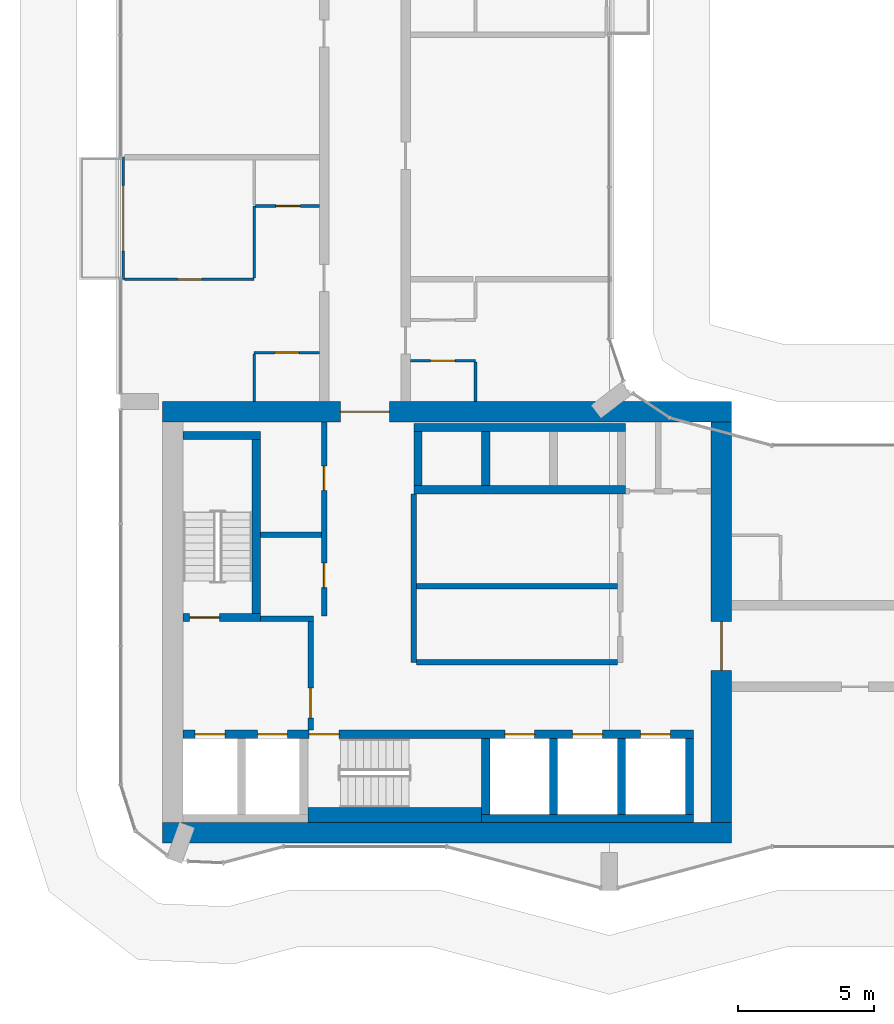
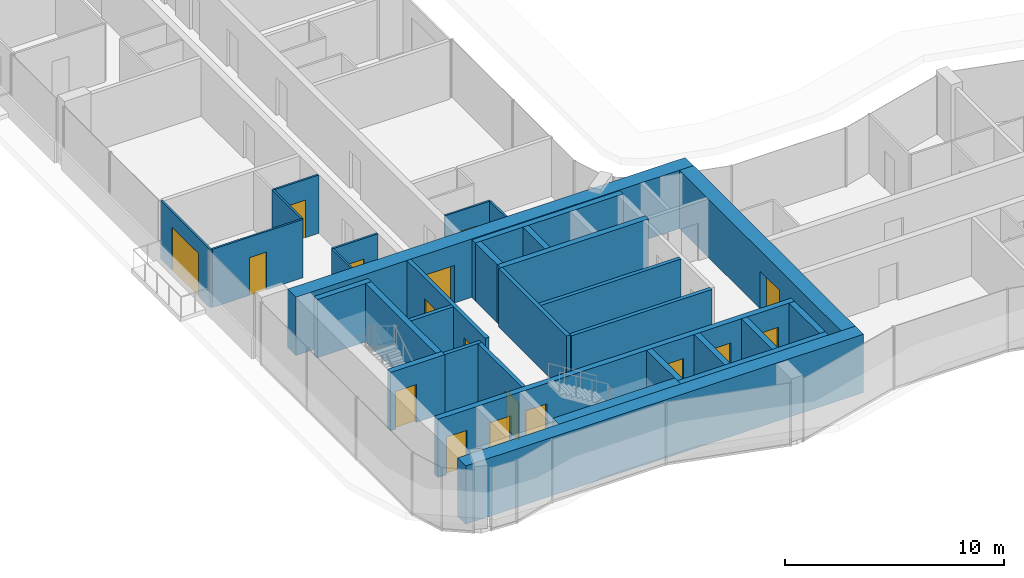
# One storey, part 14 of 24: 32 walls, 17 doors, 17 openings.
"""IFC4 building model written with IfcOpenShell, lengths in metres."""

from ifc_helpers import new_model, si_unit, direction, frame, frame_2d, origin, place, context, subcontext, project, spatial, rectangle, extrude, material, layer, layer_set, type_object, element, fill, save


model = new_model("IFC4")

# Units and contexts
model_context = context("Model", 3, precision=1e-05, world=origin(), true_north=direction((0.0, 1.0)))
body_context = subcontext(model_context, "Body", "Model", "MODEL_VIEW")
ifc_project = project(units=[si_unit("LENGTHUNIT", "METRE"), si_unit("AREAUNIT", "SQUARE_METRE"), si_unit("VOLUMEUNIT", "CUBIC_METRE"), si_unit("PLANEANGLEUNIT", "RADIAN"), si_unit("MASSUNIT", "GRAM", prefix="KILO")], contexts=[model_context])

# Site, building, storey
site_placement = place(None, origin())
site = spatial("IfcSite", under=ifc_project, at=site_placement, CompositionType="ELEMENT")
building_placement = place(site_placement, origin())
building = spatial("IfcBuilding", under=site, at=building_placement, Name="Plateau Cross Towers", CompositionType="ELEMENT")
storey_placement = place(building_placement, frame((0.0, 0.0, 30.300048828125)))
storey = spatial("IfcBuildingStorey", under=building, at=storey_placement, Name="L06", CompositionType="ELEMENT", Elevation=30.300048828125)

# Wall, opening, door
ifc_material_1 = material(Name="Aluminium framed glazing", Category="aluminium")
ifc_layer_1 = layer(ifc_material_1, 0.10009765625)
ifc_layer_set_1 = layer_set([ifc_layer_1], Name="Aluminium framed glazing")
wall_type_1 = type_object("IfcWallType", Name="Balcony screen wall 100", PredefinedType="STANDARD", material=ifc_layer_set_1)
wall_1_placement = place(storey_placement, frame((0.10009765625, 22.5, 0.0), z_axis=(0.0, 0.0, 1.0), x_axis=(0.0, 1.0, 0.0)))
wall_1 = element("IfcWall", 1, at=wall_1_placement, inside=storey, type_object=wall_type_1, Name="Balcony screen wall A-BAL-L06-01", PredefinedType="STANDARD", context=body_context, shape_type="SweptSolid", body=[
    extrude(rectangle(XDim=4.5, YDim=0.10009765625, at=frame_2d((2.25, 0.0))), origin(), (0.0, 0.0, 1.0), 3.25),
])
opening_1_placement = place(wall_1_placement, frame((1.050048828125, 0.0, 0.0)))
opening_1 = element("IfcOpeningElement", 2, at=opening_1_placement, cuts=wall_1, Name="Opening D-B24", PredefinedType="OPENING", context=body_context, shape_type="SweptSolid", body=[
    extrude(rectangle(XDim=2.39990234375, YDim=2.39990234375, at=frame_2d((1.199951171875, 1.199951171875))), frame((0.0, 0.06005859375, 0.0), z_axis=(0.0, -1.0, 0.0), x_axis=(1.0, 0.0, 0.0)), (0.0, 0.0, 1.0), 0.1201171875),
])
ifc_material_2 = material(Name="Aluminium frame, double glazing", Category="aluminium")
door_type_1 = type_object("IfcDoorType", Name="Balcony sliding door 2400", OperationType="NOTDEFINED", PredefinedType="DOOR", material=ifc_material_2)
door_1_placement = place(opening_1_placement, origin())
door_1 = element("IfcDoor", 3, at=door_1_placement, inside=storey, type_object=door_type_1, Name="Balcony door A-BAL-L06-01", OperationType="SINGLE_SWING_LEFT", OverallHeight=2.39990234375, OverallWidth=2.39990234375, PredefinedType="DOOR", context=body_context, shape_type="SweptSolid", body=[
    extrude(rectangle(XDim=2.39990234375, YDim=2.39990234375, at=frame_2d((1.199951171875, 1.199951171875))), frame((0.0, 0.02490234375, 0.0), z_axis=(0.0, -1.0, 0.0), x_axis=(1.0, 0.0, 0.0)), (0.0, 0.0, 1.0), 0.050048828125),
])
fill(opening_1, door_1)

ifc_material_3 = material(Name="Concrete block, plastered both sides", Category="concrete")
ifc_layer_2 = layer(ifc_material_3, 0.199951171875)
ifc_layer_set_2 = layer_set([ifc_layer_2], Name="Concrete block, plastered both sides")
wall_type_2 = type_object("IfcWallType", Name="Core partition 200", PredefinedType="PARTITIONING", material=ifc_layer_set_2)
wall_2_placement = place(storey_placement, frame((7.0, 5.89990234375, 0.0), z_axis=(0.0, 0.0, 1.0), x_axis=(0.0, 1.0, 0.0)))
wall_2 = element("IfcWall", 4, at=wall_2_placement, inside=storey, type_object=wall_type_2, Name="Core partition", PredefinedType="PARTITIONING", context=body_context, shape_type="SweptSolid", body=[
    extrude(rectangle(XDim=4.0, YDim=0.199951171875, at=frame_2d((2.0, 0.0))), origin(), (0.0, 0.0, 1.0), 3.25),
])
opening_2_placement = place(wall_2_placement, frame((0.449951171875, 0.0, 0.0)))
opening_2 = element("IfcOpeningElement", 5, at=opening_2_placement, cuts=wall_2, Name="Opening FFD", PredefinedType="OPENING", context=body_context, shape_type="SweptSolid", body=[
    extrude(rectangle(XDim=1.10009765625, YDim=2.10009765625, at=frame_2d((0.550048828125, 1.050048828125))), frame((0.0, 0.10986328125, 0.0), z_axis=(0.0, -1.0, 0.0), x_axis=(1.0, 0.0, 0.0)), (0.0, 0.0, 1.0), 0.219970703125),
])
ifc_material_4 = material(Name="Steel, fire-resisting leaf", Category="steel")
door_type_2 = type_object("IfcDoorType", Name="Firefighting lobby door 1100", OperationType="NOTDEFINED", PredefinedType="DOOR", material=ifc_material_4)
door_2_placement = place(opening_2_placement, origin())
door_2 = element("IfcDoor", 6, at=door_2_placement, inside=storey, type_object=door_type_2, Name="Firefighting lobby door FFD", OperationType="SINGLE_SWING_LEFT", OverallHeight=2.10009765625, OverallWidth=1.10009765625, PredefinedType="DOOR", context=body_context, shape_type="SweptSolid", body=[
    extrude(rectangle(XDim=1.10009765625, YDim=2.10009765625, at=frame_2d((0.550048828125, 1.050048828125))), frame((0.0, 0.02490234375, 0.0), z_axis=(0.0, -1.0, 0.0), x_axis=(1.0, 0.0, 0.0)), (0.0, 0.0, 1.0), 0.050048828125),
])
fill(opening_2, door_2)

# Walls
wall_3_placement = place(storey_placement, frame((5.14990234375, 10.0, 0.0), z_axis=(0.0, 0.0, 1.0), x_axis=(1.0, 0.0, 0.0)))
element("IfcWall", 7, at=wall_3_placement, inside=storey, type_object=wall_type_2, Name="Core partition", PredefinedType="PARTITIONING", context=body_context, shape_type="SweptSolid", body=[
    extrude(rectangle(XDim=1.9501953125, YDim=0.199951171875, at=frame_2d((0.97509765625, 0.0))), origin(), (0.0, 0.0, 1.0), 3.25),
])
wall_4_placement = place(storey_placement, frame((10.800048828125, 8.39990234375, 0.0), z_axis=(0.0, 0.0, 1.0), x_axis=(0.0, 1.0, 0.0)))
element("IfcWall", 8, at=wall_4_placement, inside=storey, type_object=wall_type_2, Name="Core partition", PredefinedType="PARTITIONING", context=body_context, shape_type="SweptSolid", body=[
    extrude(rectangle(XDim=6.2001953125, YDim=0.199951171875, at=frame_2d((3.10009765625, 0.0))), origin(), (0.0, 0.0, 1.0), 3.25),
])
for number, where, z_axis, x_axis, name in (
    (9, (10.89990234375, 8.39990234375, 0.0), (0.0, 0.0, 1.0), (1.0, 0.0, 0.0), "Core partition"),
    (10, (10.89990234375, 11.199951171875, 0.0), (0.0, 0.0, 1.0), (1.0, 0.0, 0.0), "Core partition"),
):
    element("IfcWall", number, at=place(storey_placement, frame(where, z_axis=z_axis, x_axis=x_axis)), inside=storey, type_object=wall_type_2, Name=name, PredefinedType="PARTITIONING", context=body_context, shape_type="SweptSolid", body=[
        extrude(rectangle(XDim=7.400146484375, YDim=0.199951171875, at=frame_2d((3.7001953125, 0.0))), origin(), (0.0, 0.0, 1.0), 3.25),
    ])

# Wall, openings, doors
wall_5_placement = place(storey_placement, frame((7.5, 10.10009765625, 0.0), z_axis=(0.0, 0.0, 1.0), x_axis=(0.0, 1.0, 0.0)))
wall_5 = element("IfcWall", 11, at=wall_5_placement, inside=storey, type_object=wall_type_2, Name="Core partition", PredefinedType="PARTITIONING", context=body_context, shape_type="SweptSolid", body=[
    extrude(rectangle(XDim=7.14990234375, YDim=0.199951171875, at=frame_2d((3.574951171875, 0.0))), origin(), (0.0, 0.0, 1.0), 3.25),
])
opening_3_placement = place(wall_5_placement, frame((1.050048828125, 0.0, 0.0)))
opening_3 = element("IfcOpeningElement", 12, at=opening_3_placement, cuts=wall_5, Name="Opening RD1", PredefinedType="OPENING", context=body_context, shape_type="SweptSolid", body=[
    extrude(rectangle(XDim=0.89990234375, YDim=2.10009765625, at=frame_2d((0.449951171875, 1.050048828125))), frame((0.0, 0.10986328125, 0.0), z_axis=(0.0, -1.0, 0.0), x_axis=(1.0, 0.0, 0.0)), (0.0, 0.0, 1.0), 0.219970703125),
])
opening_4_placement = place(wall_5_placement, frame((4.625, 0.0, 0.0)))
opening_4 = element("IfcOpeningElement", 13, at=opening_4_placement, cuts=wall_5, Name="Opening RD1", PredefinedType="OPENING", context=body_context, shape_type="SweptSolid", body=[
    extrude(rectangle(XDim=0.89990234375, YDim=2.10009765625, at=frame_2d((0.449951171875, 1.050048828125))), frame((0.0, 0.10986328125, 0.0), z_axis=(0.0, -1.0, 0.0), x_axis=(1.0, 0.0, 0.0)), (0.0, 0.0, 1.0), 0.219970703125),
])
ifc_material_5 = material(Name="Timber, fire-resisting leaf", Category="wood")
door_type_3 = type_object("IfcDoorType", Name="Core service door 900", OperationType="NOTDEFINED", PredefinedType="DOOR", material=ifc_material_5)
door_3_placement = place(opening_3_placement, origin())
door_3 = element("IfcDoor", 14, at=door_3_placement, inside=storey, type_object=door_type_3, Name="Core service door RD1", OperationType="SINGLE_SWING_RIGHT", OverallHeight=2.10009765625, OverallWidth=0.89990234375, PredefinedType="DOOR", context=body_context, shape_type="SweptSolid", body=[
    extrude(rectangle(XDim=0.89990234375, YDim=2.10009765625, at=frame_2d((0.449951171875, 1.050048828125))), frame((0.0, 0.02490234375, 0.0), z_axis=(0.0, -1.0, 0.0), x_axis=(1.0, 0.0, 0.0)), (0.0, 0.0, 1.0), 0.050048828125),
])
fill(opening_3, door_3)
door_4_placement = place(opening_4_placement, origin())
door_4 = element("IfcDoor", 15, at=door_4_placement, inside=storey, type_object=door_type_3, Name="Core service door RD1", OperationType="SINGLE_SWING_RIGHT", OverallHeight=2.10009765625, OverallWidth=0.89990234375, PredefinedType="DOOR", context=body_context, shape_type="SweptSolid", body=[
    extrude(rectangle(XDim=0.89990234375, YDim=2.10009765625, at=frame_2d((0.449951171875, 1.050048828125))), frame((0.0, 0.02490234375, 0.0), z_axis=(0.0, -1.0, 0.0), x_axis=(1.0, 0.0, 0.0)), (0.0, 0.0, 1.0), 0.050048828125),
])
fill(opening_4, door_4)

# Walls
wall_6_placement = place(storey_placement, frame((5.14990234375, 13.10009765625, 0.0), z_axis=(0.0, 0.0, 1.0), x_axis=(1.0, 0.0, 0.0)))
element("IfcWall", 16, at=wall_6_placement, inside=storey, type_object=wall_type_2, Name="Core partition", PredefinedType="PARTITIONING", context=body_context, shape_type="SweptSolid", body=[
    extrude(rectangle(XDim=2.25, YDim=0.199951171875, at=frame_2d((1.125, 0.0))), origin(), (0.0, 0.0, 1.0), 3.25),
])
ifc_material_6 = material(Name="Concrete C60/75", Category="concrete")
ifc_layer_3 = layer(ifc_material_6, 0.300048828125)
ifc_layer_set_3 = layer_set([ifc_layer_3], Name="Concrete C60/75")
wall_type_3 = type_object("IfcWallType", Name="Core shaft wall 300", PredefinedType="SHEAR", material=ifc_layer_set_3)
wall_7_placement = place(storey_placement, frame((13.300048828125, 2.64990234375, 0.0), z_axis=(0.0, 0.0, 1.0), x_axis=(1.0, 0.0, 0.0)))
element("IfcWall", 17, at=wall_7_placement, inside=storey, type_object=wall_type_3, Name="A-sb-back3@L06", PredefinedType="SHEAR", context=body_context, shape_type="SweptSolid", body=[
    extrude(rectangle(XDim=7.800048828125, YDim=0.300048828125, at=frame_2d((3.89990234375, 0.0))), origin(), (0.0, 0.0, 1.0), 3.25),
])
for number, where, z_axis, x_axis, name in (
    (18, (13.449951171875, 2.800048828125, 0.0), (0.0, 0.0, 1.0), (0.0, 1.0, 0.0), "A-sb-v3@L06"),
    (19, (15.949951171875, 2.800048828125, 0.0), (0.0, 0.0, 1.0), (0.0, 1.0, 0.0), "A-sb-v4@L06"),
    (20, (18.449951171875, 2.800048828125, 0.0), (0.0, 0.0, 1.0), (0.0, 1.0, 0.0), "A-sb-v5@L06"),
    (21, (20.949951171875, 2.800048828125, 0.0), (0.0, 0.0, 1.0), (0.0, 1.0, 0.0), "A-sb-v6@L06"),
):
    element("IfcWall", number, at=place(storey_placement, frame(where, z_axis=z_axis, x_axis=x_axis)), inside=storey, type_object=wall_type_3, Name=name, PredefinedType="SHEAR", context=body_context, shape_type="SweptSolid", body=[
        extrude(rectangle(XDim=2.800048828125, YDim=0.300048828125, at=frame_2d((1.39990234375, 0.0))), origin(), (0.0, 0.0, 1.0), 3.25),
    ])

# Wall, openings, doors
wall_8_placement = place(storey_placement, frame((2.300048828125, 5.75, 0.0), z_axis=(0.0, 0.0, 1.0), x_axis=(1.0, 0.0, 0.0)))
wall_8 = element("IfcWall", 22, at=wall_8_placement, inside=storey, type_object=wall_type_3, Name="A-sb-front@L06", PredefinedType="SHEAR", context=body_context, shape_type="SweptSolid", body=[
    extrude(rectangle(XDim=18.800048828125, YDim=0.300048828125, at=frame_2d((9.39990234375, 0.0))), origin(), (0.0, 0.0, 1.0), 3.25),
])
opening_5_placement = place(wall_8_placement, frame((4.64990234375, 0.0, 0.0)))
opening_5 = element("IfcOpeningElement", 23, at=opening_5_placement, cuts=wall_8, Name="Opening SD", PredefinedType="OPENING", context=body_context, shape_type="SweptSolid", body=[
    extrude(rectangle(XDim=1.10009765625, YDim=2.10009765625, at=frame_2d((0.550048828125, 1.050048828125))), frame((0.0, 0.159912109375, 0.0), z_axis=(0.0, -1.0, 0.0), x_axis=(1.0, 0.0, 0.0)), (0.0, 0.0, 1.0), 0.320068359375),
])
opening_6_placement = place(wall_8_placement, frame((0.449951171875, 0.0, 0.0)))
opening_6 = element("IfcOpeningElement", 24, at=opening_6_placement, cuts=wall_8, Name="Opening LD", PredefinedType="OPENING", context=body_context, shape_type="SweptSolid", body=[
    extrude(rectangle(XDim=1.10009765625, YDim=2.10009765625, at=frame_2d((0.550048828125, 1.050048828125))), frame((0.0, 0.159912109375, 0.0), z_axis=(0.0, -1.0, 0.0), x_axis=(1.0, 0.0, 0.0)), (0.0, 0.0, 1.0), 0.320068359375),
])
opening_7_placement = place(wall_8_placement, frame((2.75, 0.0, 0.0)))
opening_7 = element("IfcOpeningElement", 25, at=opening_7_placement, cuts=wall_8, Name="Opening LD", PredefinedType="OPENING", context=body_context, shape_type="SweptSolid", body=[
    extrude(rectangle(XDim=1.10009765625, YDim=2.10009765625, at=frame_2d((0.550048828125, 1.050048828125))), frame((0.0, 0.159912109375, 0.0), z_axis=(0.0, -1.0, 0.0), x_axis=(1.0, 0.0, 0.0)), (0.0, 0.0, 1.0), 0.320068359375),
])
opening_8_placement = place(wall_8_placement, frame((11.85009765625, 0.0, 0.0)))
opening_8 = element("IfcOpeningElement", 26, at=opening_8_placement, cuts=wall_8, Name="Opening LD", PredefinedType="OPENING", context=body_context, shape_type="SweptSolid", body=[
    extrude(rectangle(XDim=1.10009765625, YDim=2.10009765625, at=frame_2d((0.550048828125, 1.050048828125))), frame((0.0, 0.159912109375, 0.0), z_axis=(0.0, -1.0, 0.0), x_axis=(1.0, 0.0, 0.0)), (0.0, 0.0, 1.0), 0.320068359375),
])
opening_9_placement = place(wall_8_placement, frame((14.35009765625, 0.0, 0.0)))
opening_9 = element("IfcOpeningElement", 27, at=opening_9_placement, cuts=wall_8, Name="Opening LD", PredefinedType="OPENING", context=body_context, shape_type="SweptSolid", body=[
    extrude(rectangle(XDim=1.10009765625, YDim=2.10009765625, at=frame_2d((0.550048828125, 1.050048828125))), frame((0.0, 0.159912109375, 0.0), z_axis=(0.0, -1.0, 0.0), x_axis=(1.0, 0.0, 0.0)), (0.0, 0.0, 1.0), 0.320068359375),
])
opening_10_placement = place(wall_8_placement, frame((16.85009765625, 0.0, 0.0)))
opening_10 = element("IfcOpeningElement", 28, at=opening_10_placement, cuts=wall_8, Name="Opening LD", PredefinedType="OPENING", context=body_context, shape_type="SweptSolid", body=[
    extrude(rectangle(XDim=1.10009765625, YDim=2.10009765625, at=frame_2d((0.550048828125, 1.050048828125))), frame((0.0, 0.159912109375, 0.0), z_axis=(0.0, -1.0, 0.0), x_axis=(1.0, 0.0, 0.0)), (0.0, 0.0, 1.0), 0.320068359375),
])
ifc_material_7 = material(Name="Stainless steel, fire-resisting sliding leaves", Category="steel")
door_type_4 = type_object("IfcDoorType", Name="Lift landing door 1100", OperationType="NOTDEFINED", PredefinedType="DOOR", material=ifc_material_7)
door_5_placement = place(opening_6_placement, origin())
door_5 = element("IfcDoor", 29, at=door_5_placement, inside=storey, type_object=door_type_4, Name="Lift landing door LD", OperationType="DOUBLE_DOOR_SLIDING", OverallHeight=2.10009765625, OverallWidth=1.10009765625, PredefinedType="DOOR", context=body_context, shape_type="SweptSolid", body=[
    extrude(rectangle(XDim=1.10009765625, YDim=2.10009765625, at=frame_2d((0.550048828125, 1.050048828125))), frame((0.0, 0.02490234375, 0.0), z_axis=(0.0, -1.0, 0.0), x_axis=(1.0, 0.0, 0.0)), (0.0, 0.0, 1.0), 0.050048828125),
])
fill(opening_6, door_5)
door_6_placement = place(opening_7_placement, origin())
door_6 = element("IfcDoor", 30, at=door_6_placement, inside=storey, type_object=door_type_4, Name="Lift landing door LD", OperationType="DOUBLE_DOOR_SLIDING", OverallHeight=2.10009765625, OverallWidth=1.10009765625, PredefinedType="DOOR", context=body_context, shape_type="SweptSolid", body=[
    extrude(rectangle(XDim=1.10009765625, YDim=2.10009765625, at=frame_2d((0.550048828125, 1.050048828125))), frame((0.0, 0.02490234375, 0.0), z_axis=(0.0, -1.0, 0.0), x_axis=(1.0, 0.0, 0.0)), (0.0, 0.0, 1.0), 0.050048828125),
])
fill(opening_7, door_6)
door_7_placement = place(opening_8_placement, origin())
door_7 = element("IfcDoor", 31, at=door_7_placement, inside=storey, type_object=door_type_4, Name="Lift landing door LD", OperationType="DOUBLE_DOOR_SLIDING", OverallHeight=2.10009765625, OverallWidth=1.10009765625, PredefinedType="DOOR", context=body_context, shape_type="SweptSolid", body=[
    extrude(rectangle(XDim=1.10009765625, YDim=2.10009765625, at=frame_2d((0.550048828125, 1.050048828125))), frame((0.0, 0.02490234375, 0.0), z_axis=(0.0, -1.0, 0.0), x_axis=(1.0, 0.0, 0.0)), (0.0, 0.0, 1.0), 0.050048828125),
])
fill(opening_8, door_7)
door_8_placement = place(opening_9_placement, origin())
door_8 = element("IfcDoor", 32, at=door_8_placement, inside=storey, type_object=door_type_4, Name="Lift landing door LD", OperationType="DOUBLE_DOOR_SLIDING", OverallHeight=2.10009765625, OverallWidth=1.10009765625, PredefinedType="DOOR", context=body_context, shape_type="SweptSolid", body=[
    extrude(rectangle(XDim=1.10009765625, YDim=2.10009765625, at=frame_2d((0.550048828125, 1.050048828125))), frame((0.0, 0.02490234375, 0.0), z_axis=(0.0, -1.0, 0.0), x_axis=(1.0, 0.0, 0.0)), (0.0, 0.0, 1.0), 0.050048828125),
])
fill(opening_9, door_8)
door_9_placement = place(opening_10_placement, origin())
door_9 = element("IfcDoor", 33, at=door_9_placement, inside=storey, type_object=door_type_4, Name="Lift landing door LD", OperationType="DOUBLE_DOOR_SLIDING", OverallHeight=2.10009765625, OverallWidth=1.10009765625, PredefinedType="DOOR", context=body_context, shape_type="SweptSolid", body=[
    extrude(rectangle(XDim=1.10009765625, YDim=2.10009765625, at=frame_2d((0.550048828125, 1.050048828125))), frame((0.0, 0.02490234375, 0.0), z_axis=(0.0, -1.0, 0.0), x_axis=(1.0, 0.0, 0.0)), (0.0, 0.0, 1.0), 0.050048828125),
])
fill(opening_10, door_9)
door_type_5 = type_object("IfcDoorType", Name="Stair door 1100", OperationType="NOTDEFINED", PredefinedType="DOOR", material=ifc_material_4)
door_10_placement = place(opening_5_placement, origin())
door_10 = element("IfcDoor", 34, at=door_10_placement, inside=storey, type_object=door_type_5, Name="Stair door SD", OperationType="SINGLE_SWING_LEFT", OverallHeight=2.10009765625, OverallWidth=1.10009765625, PredefinedType="DOOR", context=body_context, shape_type="SweptSolid", body=[
    extrude(rectangle(XDim=1.10009765625, YDim=2.10009765625, at=frame_2d((0.550048828125, 1.050048828125))), frame((0.0, 0.02490234375, 0.0), z_axis=(0.0, -1.0, 0.0), x_axis=(1.0, 0.0, 0.0)), (0.0, 0.0, 1.0), 0.050048828125),
])
fill(opening_5, door_10)

# Wall, opening, door
wall_9_placement = place(storey_placement, frame((2.300048828125, 10.050048828125, 0.0), z_axis=(0.0, 0.0, 1.0), x_axis=(1.0, 0.0, 0.0)))
wall_9 = element("IfcWall", 35, at=wall_9_placement, inside=storey, type_object=wall_type_3, Name="A-st1-S@L06", PredefinedType="SHEAR", context=body_context, shape_type="SweptSolid", body=[
    extrude(rectangle(XDim=2.849853515625, YDim=0.300048828125, at=frame_2d((1.4248046875, 0.0))), origin(), (0.0, 0.0, 1.0), 3.25),
])
opening_11_placement = place(wall_9_placement, frame((0.25, 0.0, 0.0)))
opening_11 = element("IfcOpeningElement", 36, at=opening_11_placement, cuts=wall_9, Name="Opening SD", PredefinedType="OPENING", context=body_context, shape_type="SweptSolid", body=[
    extrude(rectangle(XDim=1.10009765625, YDim=2.10009765625, at=frame_2d((0.550048828125, 1.050048828125))), frame((0.0, 0.159912109375, 0.0), z_axis=(0.0, -1.0, 0.0), x_axis=(1.0, 0.0, 0.0)), (0.0, 0.0, 1.0), 0.320068359375),
])
door_11_placement = place(opening_11_placement, origin())
door_11 = element("IfcDoor", 37, at=door_11_placement, inside=storey, type_object=door_type_5, Name="Stair door SD", OperationType="SINGLE_SWING_RIGHT", OverallHeight=2.10009765625, OverallWidth=1.10009765625, PredefinedType="DOOR", context=body_context, shape_type="SweptSolid", body=[
    extrude(rectangle(XDim=1.10009765625, YDim=2.10009765625, at=frame_2d((0.550048828125, 1.050048828125))), frame((0.0, 0.02490234375, 0.0), z_axis=(0.0, -1.0, 0.0), x_axis=(1.0, 0.0, 0.0)), (0.0, 0.0, 1.0), 0.050048828125),
])
fill(opening_11, door_11)

# Walls
wall_10_placement = place(storey_placement, frame((5.0, 10.199951171875, 0.0), z_axis=(0.0, 0.0, 1.0), x_axis=(0.0, 1.0, 0.0)))
element("IfcWall", 38, at=wall_10_placement, inside=storey, type_object=wall_type_3, Name="A-st1-E@L06", PredefinedType="SHEAR", context=body_context, shape_type="SweptSolid", body=[
    extrude(rectangle(XDim=6.400146484375, YDim=0.300048828125, at=frame_2d((3.2001953125, 0.0))), origin(), (0.0, 0.0, 1.0), 3.25),
])
wall_11_placement = place(storey_placement, frame((2.300048828125, 16.75, 0.0), z_axis=(0.0, 0.0, 1.0), x_axis=(1.0, 0.0, 0.0)))
element("IfcWall", 39, at=wall_11_placement, inside=storey, type_object=wall_type_3, Name="A-st1-N@L06", PredefinedType="SHEAR", context=body_context, shape_type="SweptSolid", body=[
    extrude(rectangle(XDim=2.849853515625, YDim=0.300048828125, at=frame_2d((1.4248046875, 0.0))), origin(), (0.0, 0.0, 1.0), 3.25),
])
for number, where, z_axis, x_axis, name in (
    (40, (10.800048828125, 17.050048828125, 0.0), (0.0, 0.0, 1.0), (1.0, 0.0, 0.0), "A-nb-back@L06"),
    (41, (10.800048828125, 14.75, 0.0), (0.0, 0.0, 1.0), (1.0, 0.0, 0.0), "A-nb-front@L06"),
):
    element("IfcWall", number, at=place(storey_placement, frame(where, z_axis=z_axis, x_axis=x_axis)), inside=storey, type_object=wall_type_3, Name=name, PredefinedType="SHEAR", context=body_context, shape_type="SweptSolid", body=[
        extrude(rectangle(XDim=7.800048828125, YDim=0.300048828125, at=frame_2d((3.89990234375, 0.0))), origin(), (0.0, 0.0, 1.0), 3.25),
    ])
for number, where, z_axis, x_axis, name in (
    (42, (10.949951171875, 14.89990234375, 0.0), (0.0, 0.0, 1.0), (0.0, 1.0, 0.0), "A-nb-v1@L06"),
    (43, (13.449951171875, 14.89990234375, 0.0), (0.0, 0.0, 1.0), (0.0, 1.0, 0.0), "A-nb-v2@L06"),
):
    element("IfcWall", number, at=place(storey_placement, frame(where, z_axis=z_axis, x_axis=x_axis)), inside=storey, type_object=wall_type_3, Name=name, PredefinedType="SHEAR", context=body_context, shape_type="SweptSolid", body=[
        extrude(rectangle(XDim=2.0, YDim=0.300048828125, at=frame_2d((1.0, 0.0))), origin(), (0.0, 0.0, 1.0), 3.25),
    ])
ifc_layer_4 = layer(ifc_material_6, 0.550048828125)
ifc_layer_set_4 = layer_set([ifc_layer_4], Name="Concrete C60/75")
wall_type_4 = type_object("IfcWallType", Name="Core shaft wall 550", PredefinedType="SHEAR", material=ifc_layer_set_4)
wall_12_placement = place(storey_placement, frame((6.89990234375, 2.77490234375, 0.0), z_axis=(0.0, 0.0, 1.0), x_axis=(1.0, 0.0, 0.0)))
element("IfcWall", 44, at=wall_12_placement, inside=storey, type_object=wall_type_4, Name="A-sb-back2@L06", PredefinedType="SHEAR", context=body_context, shape_type="SweptSolid", body=[
    extrude(rectangle(XDim=6.400146484375, YDim=0.550048828125, at=frame_2d((3.2001953125, 0.0))), origin(), (0.0, 0.0, 1.0), 3.25),
])
ifc_layer_5 = layer(ifc_material_6, 0.75)
ifc_layer_set_5 = layer_set([ifc_layer_5], Name="Concrete C60/75")
wall_type_5 = type_object("IfcWallType", Name="Core shell wall 750", PredefinedType="SHEAR", material=ifc_layer_set_5)
wall_13_placement = place(storey_placement, frame((1.550048828125, 2.125, 0.0), z_axis=(0.0, 0.0, 1.0), x_axis=(1.0, 0.0, 0.0)))
element("IfcWall", 45, at=wall_13_placement, inside=storey, type_object=wall_type_5, Name="A-core-S@L06", PredefinedType="SHEAR", context=body_context, shape_type="SweptSolid", body=[
    extrude(rectangle(XDim=20.949951171875, YDim=0.75, at=frame_2d((10.47509765625, 0.0))), origin(), (0.0, 0.0, 1.0), 3.25),
])

# Wall, opening, door
wall_14_placement = place(storey_placement, frame((1.550048828125, 17.625, 0.0), z_axis=(0.0, 0.0, 1.0), x_axis=(1.0, 0.0, 0.0)))
wall_14 = element("IfcWall", 46, at=wall_14_placement, inside=storey, type_object=wall_type_5, Name="A-core-N@L06", PredefinedType="SHEAR", context=body_context, shape_type="SweptSolid", body=[
    extrude(rectangle(XDim=20.949951171875, YDim=0.75, at=frame_2d((10.47509765625, 0.0))), origin(), (0.0, 0.0, 1.0), 3.25),
])
opening_12_placement = place(wall_14_placement, frame((6.550048828125, 0.0, 0.0)))
opening_12 = element("IfcOpeningElement", 47, at=opening_12_placement, cuts=wall_14, Name="Opening CD", PredefinedType="OPENING", context=body_context, shape_type="SweptSolid", body=[
    extrude(rectangle(XDim=1.800048828125, YDim=2.10009765625, at=frame_2d((0.89990234375, 1.050048828125))), frame((0.0, 0.385009765625, 0.0), z_axis=(0.0, -1.0, 0.0), x_axis=(1.0, 0.0, 0.0)), (0.0, 0.0, 1.0), 0.77001953125),
])
ifc_material_8 = material(Name="Steel, fire-resisting leaves", Category="steel")
door_type_6 = type_object("IfcDoorType", Name="Corridor door pair 1800", OperationType="NOTDEFINED", PredefinedType="DOOR", material=ifc_material_8)
door_12_placement = place(opening_12_placement, origin())
door_12 = element("IfcDoor", 48, at=door_12_placement, inside=storey, type_object=door_type_6, Name="Corridor door pair CD", OperationType="DOUBLE_DOOR_SINGLE_SWING", OverallHeight=2.10009765625, OverallWidth=1.800048828125, PredefinedType="DOOR", context=body_context, shape_type="SweptSolid", body=[
    extrude(rectangle(XDim=1.800048828125, YDim=2.10009765625, at=frame_2d((0.89990234375, 1.050048828125))), frame((0.0, 0.02490234375, 0.0), z_axis=(0.0, -1.0, 0.0), x_axis=(1.0, 0.0, 0.0)), (0.0, 0.0, 1.0), 0.050048828125),
])
fill(opening_12, door_12)

wall_15_placement = place(storey_placement, frame((22.125, 2.5, 0.0), z_axis=(0.0, 0.0, 1.0), x_axis=(0.0, 1.0, 0.0)))
wall_15 = element("IfcWall", 49, at=wall_15_placement, inside=storey, type_object=wall_type_5, Name="A-core-E@L06", PredefinedType="SHEAR", context=body_context, shape_type="SweptSolid", body=[
    extrude(rectangle(XDim=14.75, YDim=0.75, at=frame_2d((7.375, 0.0))), origin(), (0.0, 0.0, 1.0), 3.25),
])
opening_13_placement = place(wall_15_placement, frame((5.60009765625, 0.0, 0.0)))
opening_13 = element("IfcOpeningElement", 50, at=opening_13_placement, cuts=wall_15, Name="Opening CD", PredefinedType="OPENING", context=body_context, shape_type="SweptSolid", body=[
    extrude(rectangle(XDim=1.800048828125, YDim=2.10009765625, at=frame_2d((0.89990234375, 1.050048828125))), frame((0.0, 0.385009765625, 0.0), z_axis=(0.0, -1.0, 0.0), x_axis=(1.0, 0.0, 0.0)), (0.0, 0.0, 1.0), 0.77001953125),
])
door_13_placement = place(opening_13_placement, origin())
door_13 = element("IfcDoor", 51, at=door_13_placement, inside=storey, type_object=door_type_6, Name="Corridor door pair CD", OperationType="DOUBLE_DOOR_SINGLE_SWING", OverallHeight=2.10009765625, OverallWidth=1.800048828125, PredefinedType="DOOR", context=body_context, shape_type="SweptSolid", body=[
    extrude(rectangle(XDim=1.800048828125, YDim=2.10009765625, at=frame_2d((0.89990234375, 1.050048828125))), frame((0.0, 0.02490234375, 0.0), z_axis=(0.0, -1.0, 0.0), x_axis=(1.0, 0.0, 0.0)), (0.0, 0.0, 1.0), 0.050048828125),
])
fill(opening_13, door_13)

ifc_material_9 = material(Name="Gypsum board on steel studs", Category="steel")
ifc_layer_6 = layer(ifc_material_9, 0.10009765625)
ifc_layer_set_6 = layer_set([ifc_layer_6], Name="Gypsum board on steel studs")
wall_type_6 = type_object("IfcWallType", Name="Flat partition 100", PredefinedType="PARTITIONING", material=ifc_layer_set_6)
wall_16_placement = place(storey_placement, frame((13.074951171875, 19.5, 0.0), z_axis=(0.0, 0.0, 1.0), x_axis=(-1.0, 0.0, 0.0)))
wall_16 = element("IfcWall", 52, at=wall_16_placement, inside=storey, type_object=wall_type_6, Name="Partition wall", PredefinedType="PARTITIONING", context=body_context, shape_type="SweptSolid", body=[
    extrude(rectangle(XDim=2.39990234375, YDim=0.10009765625, at=frame_2d((1.199951171875, 0.0))), origin(), (0.0, 0.0, 1.0), 3.25),
])
opening_14_placement = place(wall_16_placement, frame((0.75, 0.0, 0.0)))
opening_14 = element("IfcOpeningElement", 53, at=opening_14_placement, cuts=wall_16, Name="Opening 06-35", PredefinedType="OPENING", context=body_context, shape_type="SweptSolid", body=[
    extrude(rectangle(XDim=0.89990234375, YDim=2.10009765625, at=frame_2d((0.449951171875, 1.050048828125))), frame((0.0, 0.06005859375, 0.0), z_axis=(0.0, -1.0, 0.0), x_axis=(1.0, 0.0, 0.0)), (0.0, 0.0, 1.0), 0.1201171875),
])
ifc_material_10 = material(Name="Timber leaf", Category="wood")
door_type_7 = type_object("IfcDoorType", Name="Flat room door 900", OperationType="NOTDEFINED", PredefinedType="DOOR", material=ifc_material_10)
door_14_placement = place(opening_14_placement, origin())
door_14 = element("IfcDoor", 54, at=door_14_placement, inside=storey, type_object=door_type_7, Name="Door 06-35", OperationType="SINGLE_SWING_RIGHT", OverallHeight=2.10009765625, OverallWidth=0.89990234375, PredefinedType="DOOR", context=body_context, shape_type="SweptSolid", body=[
    extrude(rectangle(XDim=0.89990234375, YDim=2.10009765625, at=frame_2d((0.449951171875, 1.050048828125))), frame((0.0, 0.02490234375, 0.0), z_axis=(0.0, -1.0, 0.0), x_axis=(1.0, 0.0, 0.0)), (0.0, 0.0, 1.0), 0.050048828125),
])
fill(opening_14, door_14)

wall_17_placement = place(storey_placement, frame((7.324951171875, 19.800048828125, 0.0), z_axis=(0.0, 0.0, 1.0), x_axis=(-1.0, 0.0, 0.0)))
wall_17 = element("IfcWall", 55, at=wall_17_placement, inside=storey, type_object=wall_type_6, Name="Partition wall", PredefinedType="PARTITIONING", context=body_context, shape_type="SweptSolid", body=[
    extrude(rectangle(XDim=2.39990234375, YDim=0.10009765625, at=frame_2d((1.199951171875, 0.0))), origin(), (0.0, 0.0, 1.0), 3.25),
])
opening_15_placement = place(wall_17_placement, frame((0.75, 0.0, 0.0)))
opening_15 = element("IfcOpeningElement", 56, at=opening_15_placement, cuts=wall_17, Name="Opening 06-27", PredefinedType="OPENING", context=body_context, shape_type="SweptSolid", body=[
    extrude(rectangle(XDim=0.89990234375, YDim=2.10009765625, at=frame_2d((0.449951171875, 1.050048828125))), frame((0.0, 0.06005859375, 0.0), z_axis=(0.0, -1.0, 0.0), x_axis=(1.0, 0.0, 0.0)), (0.0, 0.0, 1.0), 0.1201171875),
])
door_15_placement = place(opening_15_placement, origin())
door_15 = element("IfcDoor", 57, at=door_15_placement, inside=storey, type_object=door_type_7, Name="Door 06-27", OperationType="SINGLE_SWING_LEFT", OverallHeight=2.10009765625, OverallWidth=0.89990234375, PredefinedType="DOOR", context=body_context, shape_type="SweptSolid", body=[
    extrude(rectangle(XDim=0.89990234375, YDim=2.10009765625, at=frame_2d((0.449951171875, 1.050048828125))), frame((0.0, 0.02490234375, 0.0), z_axis=(0.0, -1.0, 0.0), x_axis=(1.0, 0.0, 0.0)), (0.0, 0.0, 1.0), 0.050048828125),
])
fill(opening_15, door_15)

wall_18_placement = place(storey_placement, frame((0.14990234375, 22.5, 0.0), z_axis=(0.0, 0.0, 1.0), x_axis=(1.0, 0.0, 0.0)))
wall_18 = element("IfcWall", 58, at=wall_18_placement, inside=storey, type_object=wall_type_6, Name="Partition wall", PredefinedType="PARTITIONING", context=body_context, shape_type="SweptSolid", body=[
    extrude(rectangle(XDim=4.775146484375, YDim=0.10009765625, at=frame_2d((2.3876953125, 0.0))), origin(), (0.0, 0.0, 1.0), 3.25),
])
opening_16_placement = place(wall_18_placement, frame((1.949951171875, 0.0, 0.0)))
opening_16 = element("IfcOpeningElement", 59, at=opening_16_placement, cuts=wall_18, Name="Opening 06-29", PredefinedType="OPENING", context=body_context, shape_type="SweptSolid", body=[
    extrude(rectangle(XDim=0.89990234375, YDim=2.10009765625, at=frame_2d((0.449951171875, 1.050048828125))), frame((0.0, 0.06005859375, 0.0), z_axis=(0.0, -1.0, 0.0), x_axis=(1.0, 0.0, 0.0)), (0.0, 0.0, 1.0), 0.1201171875),
])
door_16_placement = place(opening_16_placement, origin())
door_16 = element("IfcDoor", 60, at=door_16_placement, inside=storey, type_object=door_type_7, Name="Door 06-29", OperationType="SINGLE_SWING_RIGHT", OverallHeight=2.10009765625, OverallWidth=0.89990234375, PredefinedType="DOOR", context=body_context, shape_type="SweptSolid", body=[
    extrude(rectangle(XDim=0.89990234375, YDim=2.10009765625, at=frame_2d((0.449951171875, 1.050048828125))), frame((0.0, 0.02490234375, 0.0), z_axis=(0.0, -1.0, 0.0), x_axis=(1.0, 0.0, 0.0)), (0.0, 0.0, 1.0), 0.050048828125),
])
fill(opening_16, door_16)

wall_19_placement = place(storey_placement, frame((4.97509765625, 25.199951171875, 0.0), z_axis=(0.0, 0.0, 1.0), x_axis=(1.0, 0.0, 0.0)))
wall_19 = element("IfcWall", 61, at=wall_19_placement, inside=storey, type_object=wall_type_6, Name="Partition wall", PredefinedType="PARTITIONING", context=body_context, shape_type="SweptSolid", body=[
    extrude(rectangle(XDim=2.349853515625, YDim=0.10009765625, at=frame_2d((1.1748046875, 0.0))), origin(), (0.0, 0.0, 1.0), 3.25),
])
opening_17_placement = place(wall_19_placement, frame((0.75, 0.0, 0.0)))
opening_17 = element("IfcOpeningElement", 62, at=opening_17_placement, cuts=wall_19, Name="Opening 06-28", PredefinedType="OPENING", context=body_context, shape_type="SweptSolid", body=[
    extrude(rectangle(XDim=0.89990234375, YDim=2.10009765625, at=frame_2d((0.449951171875, 1.050048828125))), frame((0.0, 0.06005859375, 0.0), z_axis=(0.0, -1.0, 0.0), x_axis=(1.0, 0.0, 0.0)), (0.0, 0.0, 1.0), 0.1201171875),
])
door_17_placement = place(opening_17_placement, origin())
door_17 = element("IfcDoor", 63, at=door_17_placement, inside=storey, type_object=door_type_7, Name="Door 06-28", OperationType="SINGLE_SWING_RIGHT", OverallHeight=2.10009765625, OverallWidth=0.89990234375, PredefinedType="DOOR", context=body_context, shape_type="SweptSolid", body=[
    extrude(rectangle(XDim=0.89990234375, YDim=2.10009765625, at=frame_2d((0.449951171875, 1.050048828125))), frame((0.0, 0.02490234375, 0.0), z_axis=(0.0, -1.0, 0.0), x_axis=(1.0, 0.0, 0.0)), (0.0, 0.0, 1.0), 0.050048828125),
])
fill(opening_17, door_17)

# Walls
wall_20_placement = place(storey_placement, frame((4.925048828125, 19.75, 0.0), z_axis=(0.0, 0.0, 1.0), x_axis=(0.0, -1.0, 0.0)))
element("IfcWall", 64, at=wall_20_placement, inside=storey, type_object=wall_type_6, Name="Partition wall", PredefinedType="PARTITIONING", context=body_context, shape_type="SweptSolid", body=[
    extrude(rectangle(XDim=1.75, YDim=0.10009765625, at=frame_2d((0.875, 0.0))), origin(), (0.0, 0.0, 1.0), 3.25),
])
wall_21_placement = place(storey_placement, frame((4.925048828125, 22.550048828125, 0.0), z_axis=(0.0, 0.0, 1.0), x_axis=(0.0, 1.0, 0.0)))
element("IfcWall", 65, at=wall_21_placement, inside=storey, type_object=wall_type_6, Name="Partition wall", PredefinedType="PARTITIONING", context=body_context, shape_type="SweptSolid", body=[
    extrude(rectangle(XDim=2.64990234375, YDim=0.10009765625, at=frame_2d((1.324951171875, 0.0))), origin(), (0.0, 0.0, 1.0), 3.25),
])
wall_22_placement = place(storey_placement, frame((13.074951171875, 18.0, 0.0), z_axis=(0.0, 0.0, 1.0), x_axis=(0.0, 1.0, 0.0)))
element("IfcWall", 66, at=wall_22_placement, inside=storey, type_object=wall_type_6, Name="Partition wall", PredefinedType="PARTITIONING", context=body_context, shape_type="SweptSolid", body=[
    extrude(rectangle(XDim=1.449951171875, YDim=0.10009765625, at=frame_2d((0.72509765625, 0.0))), origin(), (0.0, 0.0, 1.0), 3.25),
])

save(model, "model.ifc")
